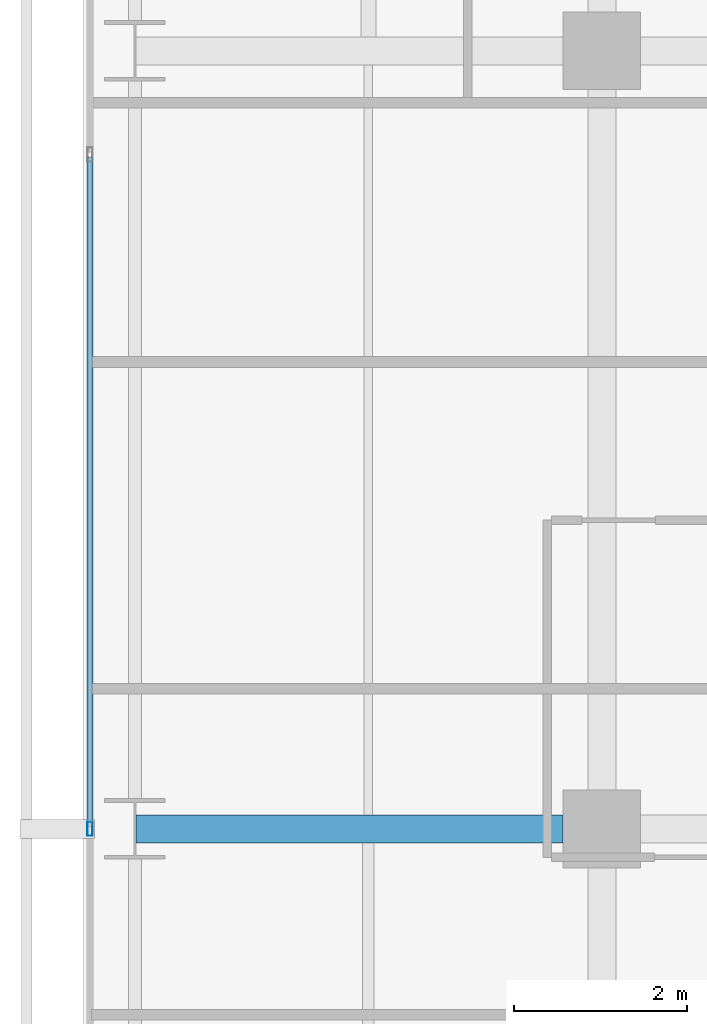
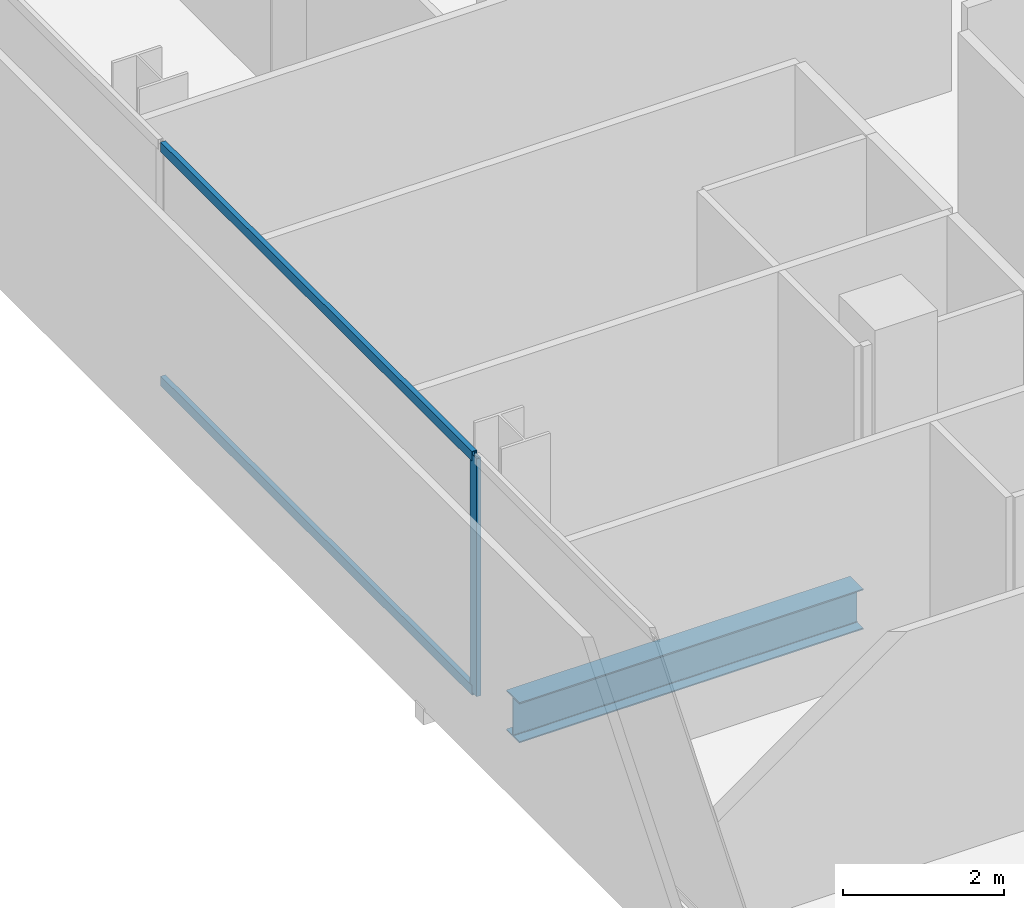
# One storey, part 12 of 40: 3 members, 1 beam, 1 element without a shape of its own.
"""IFC4 building model written with IfcOpenShell, lengths in metres."""

from ifc_helpers import new_model, si_unit, direction, frame, origin, origin_2d, place, context, subcontext, project, spatial, hollow_rectangle, i_section, extrude, material, layer, layer_set, material_profile, profile_set, type_object, element, aggregate, save


model = new_model("IFC4")

# Units and contexts
model_context = context("Model", 3, precision=1e-05, world=origin(), true_north=direction((0.0, 1.0)))
body_context = subcontext(model_context, "Body", "Model", "MODEL_VIEW")
ifc_project = project(units=[si_unit("LENGTHUNIT", "METRE"), si_unit("AREAUNIT", "SQUARE_METRE"), si_unit("VOLUMEUNIT", "CUBIC_METRE"), si_unit("PLANEANGLEUNIT", "RADIAN"), si_unit("MASSUNIT", "GRAM", prefix="KILO")], contexts=[model_context])

# Site, building, storey
site_placement = place(None, origin())
site = spatial("IfcSite", under=ifc_project, at=site_placement, CompositionType="ELEMENT")
building_placement = place(site_placement, origin())
building = spatial("IfcBuilding", under=site, at=building_placement, Name="Maruvema Waterfront Hotel and Observation Tower", CompositionType="ELEMENT")
storey_placement = place(building_placement, frame((0.0, 0.0, 107.800048828125)))
storey = spatial("IfcBuildingStorey", under=building, at=storey_placement, Name="L26", CompositionType="ELEMENT", Elevation=107.800048828125)

# Curtain wall, members
ifc_material_1 = material(Name="Anodised bronze aluminium and solar-control low-E IGU", Category="aluminium")
ifc_layer = layer(ifc_material_1, 0.159912109375, Name="Zone 1 Bronze Inner Thermal Curtain Wall System CW-02")
ifc_layer_set = layer_set([ifc_layer], Name="Anodised bronze aluminium and solar-control low-E IGU")
curtain_wall_type = type_object("IfcCurtainWallType", Name="Zone 1 Bronze Inner Thermal Curtain Wall System CW-02", PredefinedType="USERDEFINED", material=ifc_layer_set)
curtain_wall_placement = place(storey_placement, origin())
curtain_wall = element("IfcCurtainWall", 1, at=curtain_wall_placement, inside=storey, type_object=curtain_wall_type, Name="L26 Curtain Wall CW-L26-W", ObjectType="UNITISED CURTAIN WALL", PredefinedType="USERDEFINED")
ifc_material_2 = material(Name="Anodised architectural bronze aluminium", Category="aluminium")
ifc_material_profile_1 = material_profile(ifc_material_2, hollow_rectangle(XDim=0.070068359375, YDim=0.14990234375, WallThickness=0.00390625, at=origin_2d()), Name="ALU-T70x150")
ifc_profile_set_1 = profile_set([ifc_material_profile_1], Name="Anodised architectural bronze aluminium")
member_type_1 = type_object("IfcMemberType", Name="Curtain Wall Horizontal Transom ALU-T70x150", PredefinedType="USERDEFINED", material=ifc_profile_set_1)
member_1_placement = place(storey_placement, frame((10.8798828125, 34.77001953125, 0.030029296875), z_axis=(0.0, -1.0, 0.0), x_axis=(1.0, 0.0, 0.0)))
member_1 = element("IfcMember", 2, at=member_1_placement, type_object=member_type_1, Name="CW-02 transom 3.1", ObjectType="TRANSOM", PredefinedType="USERDEFINED", context=body_context, shape_type="SweptSolid", body=[
    extrude(hollow_rectangle(XDim=0.070068359375, YDim=0.14990234375, WallThickness=0.00390625, at=origin_2d()), origin(), (0.0, 0.0, 1.0), 7.739990234375),
])
member_2_placement = place(storey_placement, frame((10.8798828125, 34.77001953125, 3.579833984375), z_axis=(0.0, -1.0, 0.0), x_axis=(1.0, 0.0, 0.0)))
member_2 = element("IfcMember", 3, at=member_2_placement, type_object=member_type_1, Name="CW-02 transom 3.2", ObjectType="TRANSOM", PredefinedType="USERDEFINED", context=body_context, shape_type="SweptSolid", body=[
    extrude(hollow_rectangle(XDim=0.070068359375, YDim=0.14990234375, WallThickness=0.00390625, at=origin_2d()), origin(), (0.0, 0.0, 1.0), 7.739990234375),
])
ifc_material_3 = material(Name="Anodised architectural bronze aluminium", Category="aluminium")
ifc_material_profile_2 = material_profile(ifc_material_3, hollow_rectangle(XDim=0.06494140625, YDim=0.1650390625, WallThickness=0.00390625, at=origin_2d()), Name="ALU-M65x165")
ifc_profile_set_2 = profile_set([ifc_material_profile_2], Name="Anodised architectural bronze aluminium")
member_type_2 = type_object("IfcMemberType", Name="Curtain Wall Primary Mullion ALU-M65x165", PredefinedType="MULLION", material=ifc_profile_set_2)
member_3_placement = place(storey_placement, frame((10.8798828125, 27.0, 0.0), z_axis=(0.0, 0.0, 1.0), x_axis=(1.0, 0.0, 0.0)))
member_3 = element("IfcMember", 4, at=member_3_placement, type_object=member_type_2, Name="CW-02 mullion 4", PredefinedType="MULLION", context=body_context, shape_type="SweptSolid", body=[
    extrude(hollow_rectangle(XDim=0.06494140625, YDim=0.1650390625, WallThickness=0.00390625, at=origin_2d()), origin(), (0.0, 0.0, 1.0), 3.60986328125),
])
aggregate(curtain_wall, [member_3, member_1, member_2])

# Beam
ifc_material_4 = material(Name="Steel ASTM A572 Grade 50", Category="steel")
ifc_material_profile_3 = material_profile(ifc_material_4, i_section(OverallWidth=0.323974609375, OverallDepth=0.611083984375, WebThickness=0.0126953125, FlangeThickness=0.01904296875, FilletRadius=0.01806640625, at=origin_2d()), Name="W610x155.0")
ifc_profile_set_3 = profile_set([ifc_material_profile_3], Name="Steel ASTM A572 Grade 50")
beam_type = type_object("IfcBeamType", Name="Primary Floor Girder W610x155.0", PredefinedType="BEAM", material=ifc_profile_set_3)
beam_placement = place(storey_placement, frame((11.4140625, 27.0, -0.545654296875), z_axis=(1.0, 0.0, 0.0), x_axis=(0.0, 1.0, 0.0)))
element("IfcBeam", 5, at=beam_placement, inside=storey, type_object=beam_type, Name="L26 Floor Girder EW-20", PredefinedType="BEAM", context=body_context, shape_type="SweptSolid", body=[
    extrude(i_section(OverallWidth=0.323974609375, OverallDepth=0.611083984375, WebThickness=0.0126953125, FlangeThickness=0.01904296875, FilletRadius=0.01806640625, at=origin_2d()), origin(), (0.0, 0.0, 1.0), 4.93603515625),
])

save(model, "model.ifc")
